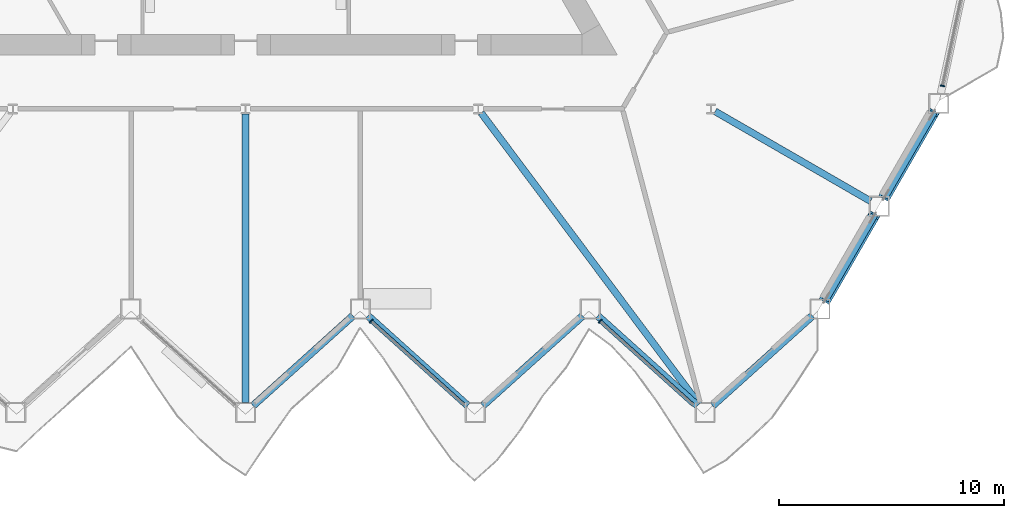
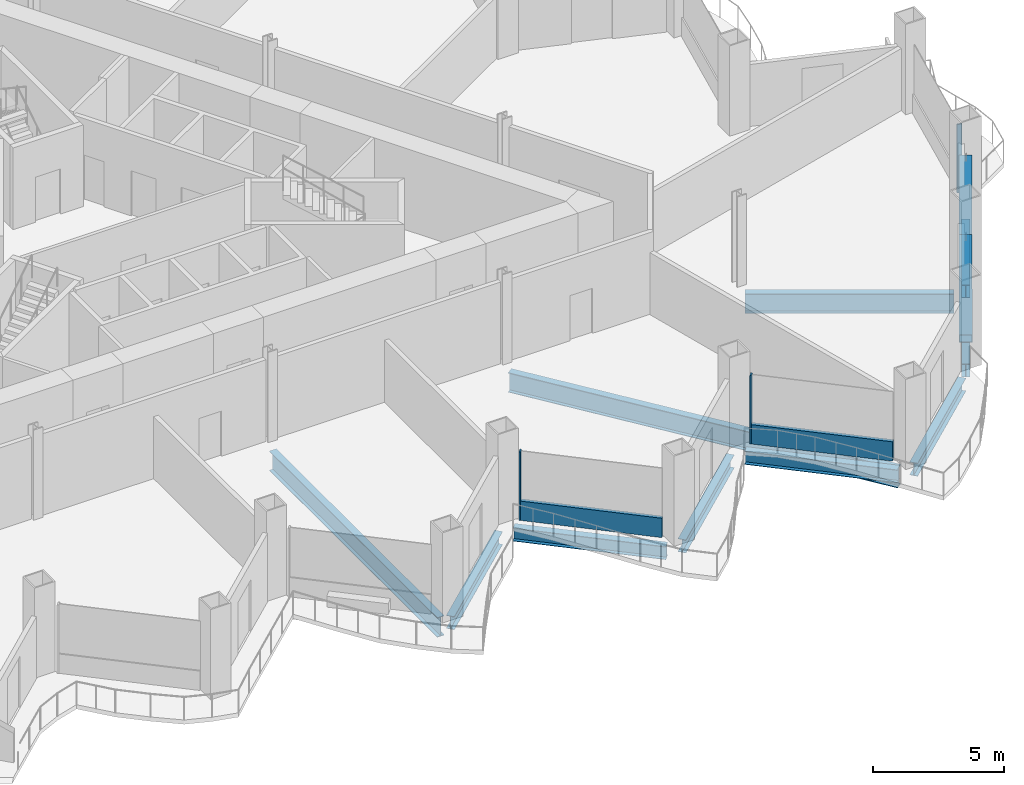
# One storey, part 5 of 21: 10 beams, 7 members, 3 elements without a shape of their own.
"""IFC4 building model written with IfcOpenShell, lengths in metres."""

import ifcopenshell
import ifcopenshell.guid

model = None  # the IFC model being written
_history = None  # IfcOwnerHistory: only IFC2X3 demands one
_inside = {}  # id of a spatial element -> (the spatial element, [elements in it])
_under = {}  # id of a project, library or spatial element -> (it, [spatial elements below it])
_declared = {}  # id of a project -> (the project, [libraries it declares])
_typed = {}  # id of a type object -> (the type object, [elements of that type])
_made_of = {}  # id of a material, layer set ... -> (it, [elements and type objects made of it])


def new_model(schema):
    """Start an empty IFC model of exactly this schema.

    Asked for "IFC4X3", IfcOpenShell would pick the latest addendum, in which some entities
    have other attributes; the version numbers below select the first issue.
    IFC2X3 requires an IfcOwnerHistory on every rooted entity: one is made here for all.
    """
    global model, _history
    if schema == "IFC4X3":
        model = ifcopenshell.file(schema_version=(4, 3, 0, 0))
    else:
        model = ifcopenshell.file(schema=schema)
    _inside.clear()
    _under.clear()
    _declared.clear()
    _typed.clear()
    _made_of.clear()
    _history = None
    if model.schema == "IFC2X3":
        org = make("IfcOrganization", Name="unknown")
        user = make(
            "IfcPersonAndOrganization",
            ThePerson=make("IfcPerson", FamilyName="unknown"),
            TheOrganization=org,
        )
        app = make(
            "IfcApplication",
            ApplicationDeveloper=org,
            Version="unknown",
            ApplicationFullName="unknown",
            ApplicationIdentifier="unknown",
        )
        _history = make(
            "IfcOwnerHistory",
            OwningUser=user,
            OwningApplication=app,
            ChangeAction="ADDED",
            CreationDate=0,
        )
    return model


def make(cls, **values):
    """One entity of the class cls with the attributes given. An attribute that is None is left unset."""
    return model.create_entity(
        cls, **{name: value for name, value in values.items() if value is not None}
    )


def rooted(cls, **values):
    """An entity with a GlobalId (a new one), such as an element, a storey or a relation."""
    return make(cls, GlobalId=ifcopenshell.guid.new(), OwnerHistory=_history, **values)


def si_unit(unit_type, name, prefix=None):
    """IfcSIUnit, for example si_unit("LENGTHUNIT", "METRE", prefix="MILLI")."""
    return make("IfcSIUnit", UnitType=unit_type, Prefix=prefix, Name=name)


def assignment(units):
    """IfcUnitAssignment: the units of a project."""
    return None if units is None else make("IfcUnitAssignment", Units=units)


def point(xyz):
    """IfcCartesianPoint."""
    return None if xyz is None else make("IfcCartesianPoint", Coordinates=xyz)


def direction(xyz):
    """IfcDirection."""
    return None if xyz is None else make("IfcDirection", DirectionRatios=xyz)


def frame(location, z_axis=None, x_axis=None):
    """IfcAxis2Placement3D, a coordinate frame: its origin and axes. An axis left out is left unset."""
    return make(
        "IfcAxis2Placement3D",
        Location=point(location),
        Axis=direction(z_axis),
        RefDirection=direction(x_axis),
    )


def frame_2d(location, x_axis=None):
    """IfcAxis2Placement2D, a coordinate frame in the plane: its origin and x axis."""
    return make(
        "IfcAxis2Placement2D", Location=point(location), RefDirection=direction(x_axis)
    )


def origin():
    """The frame at (0, 0, 0) with its axes left unset."""
    return frame((0.0, 0.0, 0.0))


def origin_2d():
    """The frame at (0, 0) in the plane with its x axis left unset."""
    return frame_2d((0.0, 0.0))


def place(relative_to, where):
    """IfcLocalPlacement: puts the frame where relative to a parent placement (None: the world)."""
    return make(
        "IfcLocalPlacement", PlacementRelTo=relative_to, RelativePlacement=where
    )


def context(
    kind, dimensions, precision=None, world=None, true_north=None, identifier=None
):
    """IfcGeometricRepresentationContext, for example the 3D "Model" context."""
    return make(
        "IfcGeometricRepresentationContext",
        ContextIdentifier=identifier,
        ContextType=kind,
        CoordinateSpaceDimension=dimensions,
        Precision=precision,
        WorldCoordinateSystem=world,
        TrueNorth=true_north,
    )


def subcontext(parent, identifier, kind, view, scale=None):
    """IfcGeometricRepresentationSubContext, for example "Body" below "Model"."""
    return make(
        "IfcGeometricRepresentationSubContext",
        ContextIdentifier=identifier,
        ContextType=kind,
        ParentContext=parent,
        TargetScale=scale,
        TargetView=view,
    )


def project(units=None, contexts=None):
    """IfcProject with its units and contexts."""
    return rooted(
        "IfcProject",
        Name="project",
        RepresentationContexts=contexts,
        UnitsInContext=assignment(units),
    )


def spatial(cls, under=None, at=None, **own):
    """A site, building, storey or space (cls), placed at a placement, below another one or the project."""
    s = rooted(cls, ObjectPlacement=at, **own)
    if under is not None:
        _under.setdefault(under.id(), (under, []))[1].append(s)
    return s


def profile(cls, at=None, kind="AREA", **sizes):
    """A parametric profile (cls). Its sizes go by their IFC names, for example OverallWidth=200.0."""
    return make(cls, ProfileType=kind, Position=at, **sizes)


def rectangle(**sizes):
    """IfcRectangleProfileDef."""
    return profile("IfcRectangleProfileDef", **sizes)


def hollow_rectangle(**sizes):
    """IfcRectangleHollowProfileDef."""
    return profile("IfcRectangleHollowProfileDef", **sizes)


def i_section(**sizes):
    """IfcIShapeProfileDef."""
    return profile("IfcIShapeProfileDef", **sizes)


def extrude(swept, where, along, depth):
    """IfcExtrudedAreaSolid: the profile swept, set in the frame where, extruded along a direction by depth."""
    return make(
        "IfcExtrudedAreaSolid",
        SweptArea=swept,
        Position=where,
        ExtrudedDirection=direction(along),
        Depth=depth,
    )


def shape(context_of_items, identifier, shape_type, items):
    """IfcShapeRepresentation: the items that make up one representation, for example the "Body"."""
    return make(
        "IfcShapeRepresentation",
        ContextOfItems=context_of_items,
        RepresentationIdentifier=identifier,
        RepresentationType=shape_type,
        Items=items,
    )


def material(Name=None, Category=None):
    """IfcMaterial."""
    return make("IfcMaterial", Name=Name, Category=Category)


def layer(
    of_material, thickness, ventilated=None, Name=None, Category=None, Priority=None
):
    """IfcMaterialLayer: one layer of a wall or slab, of a material (None: an air gap)."""
    return make(
        "IfcMaterialLayer",
        Material=of_material,
        LayerThickness=thickness,
        IsVentilated=ventilated,
        Name=Name,
        Category=Category,
        Priority=Priority,
    )


def layer_set(layers, Name=None):
    """IfcMaterialLayerSet."""
    return make("IfcMaterialLayerSet", MaterialLayers=layers, LayerSetName=Name)


def material_profile(
    of_material, cross_section, Name=None, Category=None, Priority=None
):
    """IfcMaterialProfile: a cross section and its material."""
    return make(
        "IfcMaterialProfile",
        Name=Name,
        Material=of_material,
        Profile=cross_section,
        Priority=Priority,
        Category=Category,
    )


def profile_set(profiles, Name=None, composite=None):
    """IfcMaterialProfileSet."""
    return make(
        "IfcMaterialProfileSet",
        Name=Name,
        MaterialProfiles=profiles,
        CompositeProfile=composite,
    )


def made_of(thing, what):
    """Note that an element or type object is made of a material, layer set ...; save() writes the relation."""
    if what is not None:
        _made_of.setdefault(what.id(), (what, []))[1].append(thing)
    return thing


def type_object(cls, material=None, **own):
    """A type object (cls), such as IfcWallType, which elements share."""
    return made_of(rooted(cls, **own), material)


def element(
    cls,
    number,
    at=None,
    inside=None,
    cuts=None,
    type_object=None,
    material=None,
    context=None,
    identifier="Body",
    shape_type=None,
    held_by="IfcProductDefinitionShape",
    body=None,
    shapes=None,
    **own,
):
    """One element of the class cls, such as IfcWall. Its Tag is "e" and its number.

    at: its placement. inside: the storey or other place that contains it. cuts: it is an
    opening in that element (IfcRelVoidsElement). A single representation is given by context,
    identifier, shape_type and body (its items); several are given by shapes. held_by: the class
    of the entity that holds the representations. save() writes the other relations.
    """
    e = rooted(cls, Tag="e%d" % number, ObjectPlacement=at, **own)
    if body is not None:
        shapes = [shape(context, identifier, shape_type, body)]
    if shapes is not None:
        e.Representation = make(held_by, Representations=shapes)
    if inside is not None:
        _inside.setdefault(inside.id(), (inside, []))[1].append(e)
    if cuts is not None:
        rooted(
            "IfcRelVoidsElement", RelatingBuildingElement=cuts, RelatedOpeningElement=e
        )
    if type_object is not None:
        _typed.setdefault(type_object.id(), (type_object, []))[1].append(e)
    return made_of(e, material)


def aggregate(whole, parts):
    """IfcRelAggregates: a whole, such as a stair, and the parts it consists of."""
    return rooted("IfcRelAggregates", RelatingObject=whole, RelatedObjects=parts)


def save(model, path):
    """Write the relations noted so far, then the file.

    IfcRelAggregates (storeys below a building ...), IfcRelContainedInSpatialStructure (elements
    in a storey), IfcRelDefinesByType, IfcRelAssociatesMaterial and IfcRelDeclares: one each for
    every whole, place, type object, material and project.
    """
    for whole, parts in _under.values():
        aggregate(whole, parts)
    for where, things in _inside.values():
        rooted(
            "IfcRelContainedInSpatialStructure",
            RelatedElements=things,
            RelatingStructure=where,
        )
    for kind, things in _typed.values():
        rooted("IfcRelDefinesByType", RelatedObjects=things, RelatingType=kind)
    for what, things in _made_of.values():
        rooted("IfcRelAssociatesMaterial", RelatedObjects=things, RelatingMaterial=what)
    for by, libraries in _declared.values():
        rooted("IfcRelDeclares", RelatingContext=by, RelatedDefinitions=libraries)
    model.write(path)


model = new_model("IFC4")

# Units and contexts
model_context = context("Model", 3, precision=1e-05, world=origin(), true_north=direction((0.0, 1.0)))
body_context = subcontext(model_context, "Body", "Model", "MODEL_VIEW")
ifc_project = project(units=[si_unit("LENGTHUNIT", "METRE"), si_unit("AREAUNIT", "SQUARE_METRE"), si_unit("VOLUMEUNIT", "CUBIC_METRE"), si_unit("PLANEANGLEUNIT", "RADIAN"), si_unit("MASSUNIT", "GRAM", prefix="KILO")], contexts=[model_context])

# Site, building, storey
site_placement = place(None, origin())
site = spatial("IfcSite", under=ifc_project, at=site_placement, CompositionType="ELEMENT")
building_placement = place(site_placement, origin())
building = spatial("IfcBuilding", under=site, at=building_placement, Name="Cormorant Prow Tower", CompositionType="ELEMENT")
storey_placement = place(building_placement, frame((0.0, 0.0, 145.800048828125)))
storey = spatial("IfcBuildingStorey", under=building, at=storey_placement, Name="L31", CompositionType="ELEMENT", Elevation=145.800048828125)

# Members
ifc_material_1 = material(Name="Structural steel ASTM A500 Gr C", Category="steel")
ifc_material_profile_1 = material_profile(ifc_material_1, hollow_rectangle(XDim=0.508056640625, YDim=0.508056640625, WallThickness=0.014892578125, at=origin_2d()), Name="HSS20x20x5/8")
ifc_profile_set_1 = profile_set([ifc_material_profile_1], Name="Structural steel ASTM A500 Gr C")
member_type_1 = type_object("IfcMemberType", Name="Chamfer brace HSS20x20x5/8", PredefinedType="BRACE", material=ifc_profile_set_1)
for number, where, z_axis, x_axis, name in (
    (1, (25.733642578125, -20.402099609375, 0.776611328125), (0.467784671838, 0.810243526908, 0.35310469821), (-0.866029868417, 0.499992266949, 0.0), "Chamfer brace BR1 at ESE00 L31"),
    (2, (28.368408203125, -15.83837890625, 0.776611328125), (0.467784671838, 0.810243526908, 0.35310469821), (-0.866029868417, 0.499992266949, 0.0), "Chamfer brace BR1 at ESE01 L31"),
):
    element("IfcMember", number, at=place(storey_placement, frame(where, z_axis=z_axis, x_axis=x_axis)), inside=storey, type_object=member_type_1, Name=name, PredefinedType="BRACE", context=body_context, shape_type="SweptSolid", body=[
        extrude(hollow_rectangle(XDim=0.508056640625, YDim=0.508056640625, WallThickness=0.014892578125, at=origin_2d()), origin(), (0.0, 0.0, 1.0), 4.632568359375),
    ])

# Curtain wall, member
ifc_material_2 = material(Name="Aluminium 6063-T6", Category="aluminium")
ifc_layer = layer(ifc_material_2, 0.199951171875)
ifc_layer_set = layer_set([ifc_layer], Name="Aluminium 6063-T6")
curtain_wall_type = type_object("IfcCurtainWallType", Name="Office unitised curtain wall 200", PredefinedType="NOTDEFINED", material=ifc_layer_set)
curtain_wall_1_placement = place(storey_placement, origin())
curtain_wall_1 = element("IfcCurtainWall", 3, at=curtain_wall_1_placement, inside=storey, type_object=curtain_wall_type, Name="Office curtain wall S06", PredefinedType="NOTDEFINED")
ifc_material_3 = material(Name="Aluminium 6063-T6", Category="aluminium")
ifc_material_profile_2 = material_profile(ifc_material_3, rectangle(XDim=0.199951171875, YDim=0.06005859375, at=origin_2d()), Name="Office mullion 60x200")
ifc_profile_set_2 = profile_set([ifc_material_profile_2], Name="Aluminium 6063-T6")
member_type_2 = type_object("IfcMemberType", Name="Office mullion 60x200", PredefinedType="MULLION", material=ifc_profile_set_2)
member_1_placement = place(storey_placement, frame((5.576416015625, -21.347412109375, 0.0), z_axis=(0.0, 0.0, 1.0), x_axis=(0.669130548174, 0.743144877867, 0.0)))
member_1 = element("IfcMember", 4, at=member_1_placement, type_object=member_type_2, Name="Office mullion S06", PredefinedType="MULLION", context=body_context, shape_type="SweptSolid", body=[
    extrude(rectangle(XDim=0.199951171875, YDim=0.06005859375, at=origin_2d()), origin(), (0.0, 0.0, 1.0), 3.18896484375),
])

curtain_wall_2_placement = place(storey_placement, origin())
curtain_wall_2 = element("IfcCurtainWall", 5, at=curtain_wall_2_placement, inside=storey, type_object=curtain_wall_type, Name="Office curtain wall S08", PredefinedType="NOTDEFINED")
member_2_placement = place(storey_placement, frame((15.7392578125, -21.347412109375, 0.0), z_axis=(0.0, 0.0, 1.0), x_axis=(0.669130548174, 0.743144877867, 0.0)))
member_2 = element("IfcMember", 6, at=member_2_placement, type_object=member_type_2, Name="Office mullion S08", PredefinedType="MULLION", context=body_context, shape_type="SweptSolid", body=[
    extrude(rectangle(XDim=0.199951171875, YDim=0.06005859375, at=origin_2d()), origin(), (0.0, 0.0, 1.0), 3.18896484375),
])

curtain_wall_3_placement = place(storey_placement, origin())
curtain_wall_3 = element("IfcCurtainWall", 7, at=curtain_wall_3_placement, inside=storey, type_object=curtain_wall_type, Name="Office curtain wall ENE00", PredefinedType="NOTDEFINED")
member_3_placement = place(storey_placement, frame((30.943359375, -10.90087890625, 0.0), z_axis=(0.0, 0.0, 1.0), x_axis=(-0.978147605999, 0.207911666046, 0.0)))
member_3 = element("IfcMember", 8, at=member_3_placement, type_object=member_type_2, Name="Office mullion ENE00", PredefinedType="MULLION", context=body_context, shape_type="SweptSolid", body=[
    extrude(rectangle(XDim=0.199951171875, YDim=0.06005859375, at=origin_2d()), origin(), (0.0, 0.0, 1.0), 3.18896484375),
])
aggregate(curtain_wall_3, [member_3])

# Member
ifc_material_4 = material(Name="Terracotta", Category="masonry")
ifc_material_profile_3 = material_profile(ifc_material_4, rectangle(XDim=0.159912109375, YDim=0.89990234375, at=origin_2d()), Name="Office terracotta spandrel rail 160x900")
ifc_profile_set_3 = profile_set([ifc_material_profile_3], Name="Terracotta")
member_type_3 = type_object("IfcMemberType", Name="Office terracotta spandrel rail 160x900", PredefinedType="USERDEFINED", material=ifc_profile_set_3)
member_4_placement = place(storey_placement, frame((5.5986328125, -21.367431640625, 0.449951171875), z_axis=(0.743141989368, -0.669133756164, 0.0), x_axis=(0.669133756164, 0.743141989368, 0.0)))
member_4 = element("IfcMember", 9, at=member_4_placement, type_object=member_type_3, Name="Office spandrel rail S06", ObjectType="TRANSOM", PredefinedType="USERDEFINED", context=body_context, shape_type="SweptSolid", body=[
    extrude(rectangle(XDim=0.159912109375, YDim=0.89990234375, at=origin_2d()), origin(), (0.0, 0.0, 1.0), 5.505859375),
])

aggregate(curtain_wall_1, [member_1, member_4])

member_5_placement = place(storey_placement, frame((15.761474609375, -21.367431640625, 0.449951171875), z_axis=(0.743141989368, -0.669133756164, 0.0), x_axis=(0.669133756164, 0.743141989368, 0.0)))
member_5 = element("IfcMember", 10, at=member_5_placement, type_object=member_type_3, Name="Office spandrel rail S08", ObjectType="TRANSOM", PredefinedType="USERDEFINED", context=body_context, shape_type="SweptSolid", body=[
    extrude(rectangle(XDim=0.159912109375, YDim=0.89990234375, at=origin_2d()), origin(), (0.0, 0.0, 1.0), 5.505859375),
])

aggregate(curtain_wall_2, [member_2, member_5])

# Beams
ifc_material_5 = material(Name="Structural steel ASTM A992 Gr 50", Category="steel")
ifc_material_profile_4 = material_profile(ifc_material_5, i_section(OverallWidth=0.3046875, OverallDepth=0.914794921875, WebThickness=0.0166015625, FlangeThickness=0.02587890625, at=origin_2d()), Name="W36x160")
ifc_profile_set_4 = profile_set([ifc_material_profile_4], Name="Structural steel ASTM A992 Gr 50")
beam_type_1 = type_object("IfcBeamType", Name="Radial floor beam W36x160", PredefinedType="BEAM", material=ifc_profile_set_4)
beam_1_placement = place(storey_placement, frame((0.0, -12.143798828125, -0.857421875), z_axis=(0.0, -1.0, 0.0), x_axis=(1.0, 0.0, 0.0)))
element("IfcBeam", 11, at=beam_1_placement, inside=storey, type_object=beam_type_1, Name="Radial floor beam FB1 7 L31", PredefinedType="BEAM", context=body_context, shape_type="SweptSolid", body=[
    extrude(i_section(OverallWidth=0.3046875, OverallDepth=0.914794921875, WebThickness=0.0166015625, FlangeThickness=0.02587890625, at=origin_2d()), origin(), (0.0, 0.0, 1.0), 12.805419921875),
])
beam_2_placement = place(storey_placement, frame((10.458740234375, -12.100341796875, -0.857421875), z_axis=(0.598722444929, -0.800956574315, 0.0), x_axis=(0.800956574315, 0.598722444929, 0.0)))
element("IfcBeam", 12, at=beam_2_placement, inside=storey, type_object=beam_type_1, Name="Radial floor beam FB1 8 L31", PredefinedType="BEAM", context=body_context, shape_type="SweptSolid", body=[
    extrude(i_section(OverallWidth=0.3046875, OverallDepth=0.914794921875, WebThickness=0.0166015625, FlangeThickness=0.02587890625, at=origin_2d()), origin(), (0.0, 0.0, 1.0), 16.15380859375),
])
beam_3_placement = place(storey_placement, frame((20.84521484375, -12.034912109375, -0.857421875), z_axis=(0.866018715534, -0.50001158421, 0.0), x_axis=(0.50001158421, 0.866018715534, 0.0)))
element("IfcBeam", 13, at=beam_3_placement, inside=storey, type_object=beam_type_1, Name="Radial floor beam FB1 9 L31", PredefinedType="BEAM", context=body_context, shape_type="SweptSolid", body=[
    extrude(i_section(OverallWidth=0.3046875, OverallDepth=0.914794921875, WebThickness=0.0166015625, FlangeThickness=0.02587890625, at=origin_2d()), origin(), (0.0, 0.0, 1.0), 7.967041015625),
])
ifc_material_6 = material(Name="Structural steel ASTM A992 Gr 50", Category="steel")
ifc_material_profile_5 = material_profile(ifc_material_6, i_section(OverallWidth=0.32373046875, OverallDepth=0.611083984375, WebThickness=0.0126953125, FlangeThickness=0.01904296875, at=origin_2d()), Name="W24x104")
ifc_profile_set_5 = profile_set([ifc_material_profile_5], Name="Structural steel ASTM A992 Gr 50")
beam_type_2 = type_object("IfcBeamType", Name="Spandrel beam W24x104", PredefinedType="SPANDREL", material=ifc_profile_set_5)
for number, where, z_axis, x_axis, name in (
    (14, (0.33447265625, -25.09814453125, -0.70556640625), (0.743131253571, 0.66914567918, 0.0), (-0.66914567918, 0.743131253571, 0.0), "Spandrel beam SB1 S05-S06 L31"),
    (15, (5.434326171875, -21.108154296875, -0.70556640625), (0.743131253571, -0.66914567918, 0.0), (0.66914567918, 0.743131253571, 0.0), "Spandrel beam SB1 S06-S07 L31"),
    (16, (10.5341796875, -25.09814453125, -0.70556640625), (0.743131253571, 0.66914567918, 0.0), (-0.66914567918, 0.743131253571, 0.0), "Spandrel beam SB1 S07-S08 L31"),
    (17, (15.63427734375, -21.108154296875, -0.70556640625), (0.743131253571, -0.66914567918, 0.0), (0.66914567918, 0.743131253571, 0.0), "Spandrel beam SB1 S08-S09 L31"),
    (18, (20.734130859375, -25.09814453125, -0.70556640625), (0.743131253571, 0.66914567918, 0.0), (-0.66914567918, 0.743131253571, 0.0), "Spandrel beam SB1 S09-ESE00 L31"),
):
    element("IfcBeam", number, at=place(storey_placement, frame(where, z_axis=z_axis, x_axis=x_axis)), inside=storey, type_object=beam_type_2, Name=name, PredefinedType="SPANDREL", context=body_context, shape_type="SweptSolid", body=[
        extrude(i_section(OverallWidth=0.32373046875, OverallDepth=0.611083984375, WebThickness=0.0126953125, FlangeThickness=0.01904296875, at=origin_2d()), origin(), (0.0, 0.0, 1.0), 5.962890625),
    ])
for number, where, z_axis, x_axis, name in (
    (19, (25.724609375, -20.41748046875, -0.70556640625), (0.500002967982, 0.866023690213, 0.0), (-0.866023690213, 0.500002967982, 0.0), "Spandrel beam SB1 ESE00-ESE01 L31"),
    (20, (28.359619140625, -15.853759765625, -0.70556640625), (0.500002967982, 0.866023690213, 0.0), (-0.866023690213, 0.500002967982, 0.0), "Spandrel beam SB1 ESE01-ENE00 L31"),
):
    element("IfcBeam", number, at=place(storey_placement, frame(where, z_axis=z_axis, x_axis=x_axis)), inside=storey, type_object=beam_type_2, Name=name, PredefinedType="SPANDREL", context=body_context, shape_type="SweptSolid", body=[
        extrude(i_section(OverallWidth=0.32373046875, OverallDepth=0.611083984375, WebThickness=0.0126953125, FlangeThickness=0.01904296875, at=origin_2d()), origin(), (0.0, 0.0, 1.0), 4.36962890625),
    ])

save(model, "model.ifc")
